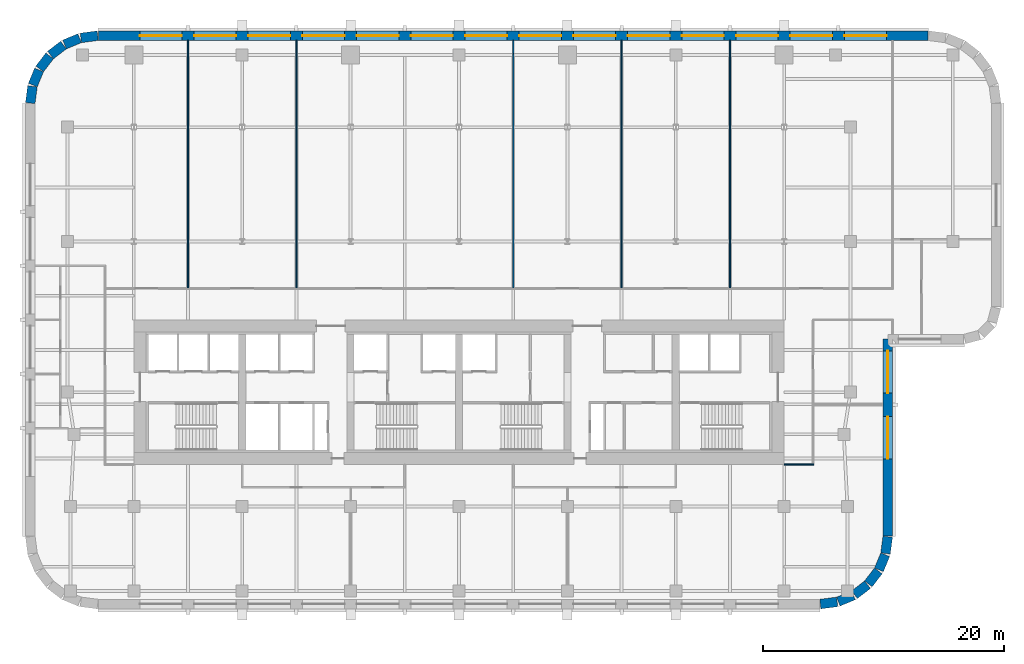
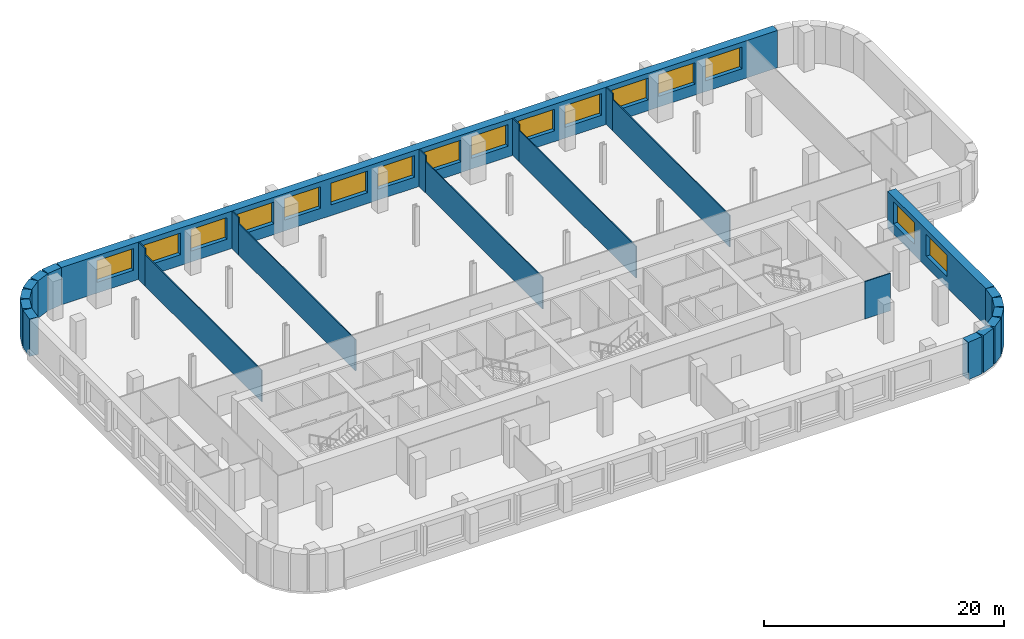
# One storey, part 6 of 9: 25 walls, 16 windows, 16 openings.
"""IFC4 building model written with IfcOpenShell, lengths in metres."""

from ifc_helpers import new_model, si_unit, direction, frame, frame_2d, origin, place, context, subcontext, project, spatial, rectangle, extrude, material, layer, layer_set, type_object, element, fill, save


model = new_model("IFC4")

# Units and contexts
model_context = context("Model", 3, precision=1e-05, world=origin(), true_north=direction((0.0, 1.0)))
body_context = subcontext(model_context, "Body", "Model", "MODEL_VIEW")
ifc_project = project(units=[si_unit("LENGTHUNIT", "METRE"), si_unit("AREAUNIT", "SQUARE_METRE"), si_unit("VOLUMEUNIT", "CUBIC_METRE"), si_unit("PLANEANGLEUNIT", "RADIAN"), si_unit("MASSUNIT", "GRAM", prefix="KILO")], contexts=[model_context])

# Site, building, storey
site_placement = place(None, origin())
site = spatial("IfcSite", under=ifc_project, at=site_placement, CompositionType="ELEMENT")
building_placement = place(site_placement, origin())
building = spatial("IfcBuilding", under=site, at=building_placement, Name="Zellij Exchange Tower", CompositionType="ELEMENT")
storey_placement = place(building_placement, frame((0.0, 0.0, 140.5)))
storey = spatial("IfcBuildingStorey", under=building, at=storey_placement, Name="L31", CompositionType="ELEMENT", Elevation=140.5)

# Walls
ifc_material_1 = material(Name="Precast concrete C40/50", Category="concrete")
ifc_layer_1 = layer(ifc_material_1, 0.800048828125)
ifc_layer_set_1 = layer_set([ifc_layer_1], Name="Precast concrete C40/50")
wall_type_1 = type_object("IfcWallType", Name="ENV-EW1 Precast stone-piered wall 800", PredefinedType="SOLIDWALL", material=ifc_layer_set_1)
wall_1_placement = place(storey_placement, frame((29.999755859375, -25.5966796875, 0.0), z_axis=(0.0, 0.0, 1.0), x_axis=(0.99144603414, 0.130517283865, 0.0)))
element("IfcWall", 1, at=wall_1_placement, inside=storey, type_object=wall_type_1, Name="fac.L31.01", PredefinedType="SOLIDWALL", context=body_context, shape_type="SweptSolid", body=[
    extrude(rectangle(XDim=1.408447265625, YDim=0.800048828125, at=frame_2d((0.7041015625, 0.0))), origin(), (0.0, 0.0, 1.0), 3.800048828125),
])
wall_2_placement = place(storey_placement, frame((31.497314453125, -25.3857421875, 0.0), z_axis=(0.0, 0.0, 1.0), x_axis=(0.923847774587, 0.38276009378, 0.0)))
element("IfcWall", 2, at=wall_2_placement, inside=storey, type_object=wall_type_1, Name="fac.L31.02", PredefinedType="SOLIDWALL", context=body_context, shape_type="SweptSolid", body=[
    extrude(rectangle(XDim=1.35546875, YDim=0.800048828125, at=frame_2d((0.677734375, 0.0))), origin(), (0.0, 0.0, 1.0), 3.800048828125),
])
for number, where, z_axis, x_axis, name in (
    (3, (32.840087890625, -24.814697265625, 0.0), (0.0, 0.0, 1.0), (0.793272915452, 0.608866226366, 0.0), "fac.L31.03"),
    (4, (33.9892578125, -23.91552734375, 0.0), (0.0, 0.0, 1.0), (0.608866226366, 0.793272915452, 0.0), "fac.L31.04"),
):
    element("IfcWall", number, at=place(storey_placement, frame(where, z_axis=z_axis, x_axis=x_axis)), inside=storey, type_object=wall_type_1, Name=name, PredefinedType="SOLIDWALL", context=body_context, shape_type="SweptSolid", body=[
        extrude(rectangle(XDim=1.355712890625, YDim=0.800048828125, at=frame_2d((0.677734375, 0.0))), origin(), (0.0, 0.0, 1.0), 3.800048828125),
    ])
wall_3_placement = place(storey_placement, frame((34.866943359375, -22.74951171875, 0.0), z_axis=(0.0, 0.0, 1.0), x_axis=(0.38276009378, 0.923847774587, 0.0)))
element("IfcWall", 5, at=wall_3_placement, inside=storey, type_object=wall_type_1, Name="fac.L31.05", PredefinedType="SOLIDWALL", context=body_context, shape_type="SweptSolid", body=[
    extrude(rectangle(XDim=1.35546875, YDim=0.800048828125, at=frame_2d((0.677734375, 0.0))), origin(), (0.0, 0.0, 1.0), 3.800048828125),
])
wall_4_placement = place(storey_placement, frame((35.412841796875, -21.396240234375, 0.0), z_axis=(0.0, 0.0, 1.0), x_axis=(0.130517283865, 0.99144603414, 0.0)))
element("IfcWall", 6, at=wall_4_placement, inside=storey, type_object=wall_type_1, Name="fac.L31.06", PredefinedType="SOLIDWALL", context=body_context, shape_type="SweptSolid", body=[
    extrude(rectangle(XDim=1.408447265625, YDim=0.800048828125, at=frame_2d((0.7041015625, 0.0))), origin(), (0.0, 0.0, 1.0), 3.800048828125),
])

# Wall, openings, windows
wall_5_placement = place(storey_placement, frame((35.60009765625, -19.947509765625, 0.0), z_axis=(0.0, 0.0, 1.0), x_axis=(0.0, 1.0, 0.0)))
wall_5 = element("IfcWall", 7, at=wall_5_placement, inside=storey, type_object=wall_type_1, Name="fac.L31.07", PredefinedType="SOLIDWALL", context=body_context, shape_type="SweptSolid", body=[
    extrude(rectangle(XDim=16.347412109375, YDim=0.800048828125, at=frame_2d((8.173828125, 0.0))), origin(), (0.0, 0.0, 1.0), 3.800048828125),
])
opening_1_placement = place(wall_5_placement, frame((6.41064453125, 0.0, 1.10009765625)))
opening_1 = element("IfcOpeningElement", 8, at=opening_1_placement, cuts=wall_5, Name="Opening FZ2.13", PredefinedType="OPENING", context=body_context, shape_type="SweptSolid", body=[
    extrude(rectangle(XDim=3.5, YDim=2.199951171875, at=frame_2d((1.75, 1.10009765625))), frame((0.0, 0.412109375, 0.0), z_axis=(0.0, -1.0, 0.0), x_axis=(1.0, 0.0, 0.0)), (0.0, 0.0, 1.0), 0.823974609375),
])
opening_2_placement = place(wall_5_placement, frame((11.86865234375, 0.0, 1.10009765625)))
opening_2 = element("IfcOpeningElement", 9, at=opening_2_placement, cuts=wall_5, Name="Opening FZ2.14", PredefinedType="OPENING", context=body_context, shape_type="SweptSolid", body=[
    extrude(rectangle(XDim=3.5, YDim=2.199951171875, at=frame_2d((1.75, 1.10009765625))), frame((0.0, 0.412109375, 0.0), z_axis=(0.0, -1.0, 0.0), x_axis=(1.0, 0.0, 0.0)), (0.0, 0.0, 1.0), 0.823974609375),
])
ifc_material_2 = material(Name="Aluminium frame with insulating glass", Category="aluminium")
window_type = type_object("IfcWindowType", Name="ENV-W7 Window 3500x2200", PartitioningType="SINGLE_PANEL", PredefinedType="WINDOW", material=ifc_material_2)
window_1_placement = place(opening_1_placement, origin())
window_1 = element("IfcWindow", 10, at=window_1_placement, inside=storey, type_object=window_type, Name="Window FZ2.13", OverallHeight=2.199951171875, OverallWidth=3.5, PartitioningType="SINGLE_PANEL", PredefinedType="WINDOW", context=body_context, shape_type="SweptSolid", body=[
    extrude(rectangle(XDim=3.5, YDim=2.199951171875, at=frame_2d((1.75, 1.10009765625))), frame((0.0, 0.030029296875, 0.0), z_axis=(0.0, -1.0, 0.0), x_axis=(1.0, 0.0, 0.0)), (0.0, 0.0, 1.0), 0.06005859375),
])
fill(opening_1, window_1)
window_2_placement = place(opening_2_placement, origin())
window_2 = element("IfcWindow", 11, at=window_2_placement, inside=storey, type_object=window_type, Name="Window FZ2.14", OverallHeight=2.199951171875, OverallWidth=3.5, PartitioningType="SINGLE_PANEL", PredefinedType="WINDOW", context=body_context, shape_type="SweptSolid", body=[
    extrude(rectangle(XDim=3.5, YDim=2.199951171875, at=frame_2d((1.75, 1.10009765625))), frame((0.0, 0.030029296875, 0.0), z_axis=(0.0, -1.0, 0.0), x_axis=(1.0, 0.0, 0.0)), (0.0, 0.0, 1.0), 0.06005859375),
])
fill(opening_2, window_2)

wall_6_placement = place(storey_placement, frame((38.947509765625, 21.60009765625, 0.0), z_axis=(0.0, 0.0, 1.0), x_axis=(-1.0, 0.0, 0.0)))
wall_6 = element("IfcWall", 12, at=wall_6_placement, inside=storey, type_object=wall_type_1, Name="fac.L31.19", PredefinedType="SOLIDWALL", context=body_context, shape_type="SweptSolid", body=[
    extrude(rectangle(XDim=68.89501953125, YDim=0.800048828125, at=frame_2d((34.447509765625, 0.0))), origin(), (0.0, 0.0, 1.0), 3.800048828125),
])
opening_3_placement = place(wall_6_placement, frame((3.447509765625, 0.0, 1.10009765625)))
opening_3 = element("IfcOpeningElement", 13, at=opening_3_placement, cuts=wall_6, Name="Opening FZ2.17", PredefinedType="OPENING", context=body_context, shape_type="SweptSolid", body=[
    extrude(rectangle(XDim=3.5, YDim=2.199951171875, at=frame_2d((1.75, 1.10009765625))), frame((0.0, 0.412109375, 0.0), z_axis=(0.0, -1.0, 0.0), x_axis=(1.0, 0.0, 0.0)), (0.0, 0.0, 1.0), 0.823974609375),
])
opening_4_placement = place(wall_6_placement, frame((7.947509765625, 0.0, 1.10009765625)))
opening_4 = element("IfcOpeningElement", 14, at=opening_4_placement, cuts=wall_6, Name="Opening FZ2.18", PredefinedType="OPENING", context=body_context, shape_type="SweptSolid", body=[
    extrude(rectangle(XDim=3.5, YDim=2.199951171875, at=frame_2d((1.75, 1.10009765625))), frame((0.0, 0.412109375, 0.0), z_axis=(0.0, -1.0, 0.0), x_axis=(1.0, 0.0, 0.0)), (0.0, 0.0, 1.0), 0.823974609375),
])
opening_5_placement = place(wall_6_placement, frame((12.447509765625, 0.0, 1.10009765625)))
opening_5 = element("IfcOpeningElement", 15, at=opening_5_placement, cuts=wall_6, Name="Opening FZ2.19", PredefinedType="OPENING", context=body_context, shape_type="SweptSolid", body=[
    extrude(rectangle(XDim=3.5, YDim=2.199951171875, at=frame_2d((1.75, 1.10009765625))), frame((0.0, 0.412109375, 0.0), z_axis=(0.0, -1.0, 0.0), x_axis=(1.0, 0.0, 0.0)), (0.0, 0.0, 1.0), 0.823974609375),
])
opening_6_placement = place(wall_6_placement, frame((16.947509765625, 0.0, 1.10009765625)))
opening_6 = element("IfcOpeningElement", 16, at=opening_6_placement, cuts=wall_6, Name="Opening FZ2.20", PredefinedType="OPENING", context=body_context, shape_type="SweptSolid", body=[
    extrude(rectangle(XDim=3.5, YDim=2.199951171875, at=frame_2d((1.75, 1.10009765625))), frame((0.0, 0.412109375, 0.0), z_axis=(0.0, -1.0, 0.0), x_axis=(1.0, 0.0, 0.0)), (0.0, 0.0, 1.0), 0.823974609375),
])
opening_7_placement = place(wall_6_placement, frame((21.447509765625, 0.0, 1.10009765625)))
opening_7 = element("IfcOpeningElement", 17, at=opening_7_placement, cuts=wall_6, Name="Opening FZ2.21", PredefinedType="OPENING", context=body_context, shape_type="SweptSolid", body=[
    extrude(rectangle(XDim=3.5, YDim=2.199951171875, at=frame_2d((1.75, 1.10009765625))), frame((0.0, 0.412109375, 0.0), z_axis=(0.0, -1.0, 0.0), x_axis=(1.0, 0.0, 0.0)), (0.0, 0.0, 1.0), 0.823974609375),
])
opening_8_placement = place(wall_6_placement, frame((25.947509765625, 0.0, 1.10009765625)))
opening_8 = element("IfcOpeningElement", 18, at=opening_8_placement, cuts=wall_6, Name="Opening FZ2.22", PredefinedType="OPENING", context=body_context, shape_type="SweptSolid", body=[
    extrude(rectangle(XDim=3.5, YDim=2.199951171875, at=frame_2d((1.75, 1.10009765625))), frame((0.0, 0.412109375, 0.0), z_axis=(0.0, -1.0, 0.0), x_axis=(1.0, 0.0, 0.0)), (0.0, 0.0, 1.0), 0.823974609375),
])
opening_9_placement = place(wall_6_placement, frame((30.447509765625, 0.0, 1.10009765625)))
opening_9 = element("IfcOpeningElement", 19, at=opening_9_placement, cuts=wall_6, Name="Opening FZ2.23", PredefinedType="OPENING", context=body_context, shape_type="SweptSolid", body=[
    extrude(rectangle(XDim=3.5, YDim=2.199951171875, at=frame_2d((1.75, 1.10009765625))), frame((0.0, 0.412109375, 0.0), z_axis=(0.0, -1.0, 0.0), x_axis=(1.0, 0.0, 0.0)), (0.0, 0.0, 1.0), 0.823974609375),
])
opening_10_placement = place(wall_6_placement, frame((34.947509765625, 0.0, 1.10009765625)))
opening_10 = element("IfcOpeningElement", 20, at=opening_10_placement, cuts=wall_6, Name="Opening FZ2.24", PredefinedType="OPENING", context=body_context, shape_type="SweptSolid", body=[
    extrude(rectangle(XDim=3.5, YDim=2.199951171875, at=frame_2d((1.75, 1.10009765625))), frame((0.0, 0.412109375, 0.0), z_axis=(0.0, -1.0, 0.0), x_axis=(1.0, 0.0, 0.0)), (0.0, 0.0, 1.0), 0.823974609375),
])
opening_11_placement = place(wall_6_placement, frame((39.447509765625, 0.0, 1.10009765625)))
opening_11 = element("IfcOpeningElement", 21, at=opening_11_placement, cuts=wall_6, Name="Opening FZ2.25", PredefinedType="OPENING", context=body_context, shape_type="SweptSolid", body=[
    extrude(rectangle(XDim=3.5, YDim=2.199951171875, at=frame_2d((1.75, 1.10009765625))), frame((0.0, 0.412109375, 0.0), z_axis=(0.0, -1.0, 0.0), x_axis=(1.0, 0.0, 0.0)), (0.0, 0.0, 1.0), 0.823974609375),
])
opening_12_placement = place(wall_6_placement, frame((43.947509765625, 0.0, 1.10009765625)))
opening_12 = element("IfcOpeningElement", 22, at=opening_12_placement, cuts=wall_6, Name="Opening FZ2.26", PredefinedType="OPENING", context=body_context, shape_type="SweptSolid", body=[
    extrude(rectangle(XDim=3.5, YDim=2.199951171875, at=frame_2d((1.75, 1.10009765625))), frame((0.0, 0.412109375, 0.0), z_axis=(0.0, -1.0, 0.0), x_axis=(1.0, 0.0, 0.0)), (0.0, 0.0, 1.0), 0.823974609375),
])
opening_13_placement = place(wall_6_placement, frame((48.447509765625, 0.0, 1.10009765625)))
opening_13 = element("IfcOpeningElement", 23, at=opening_13_placement, cuts=wall_6, Name="Opening FZ2.27", PredefinedType="OPENING", context=body_context, shape_type="SweptSolid", body=[
    extrude(rectangle(XDim=3.5, YDim=2.199951171875, at=frame_2d((1.75, 1.10009765625))), frame((0.0, 0.412109375, 0.0), z_axis=(0.0, -1.0, 0.0), x_axis=(1.0, 0.0, 0.0)), (0.0, 0.0, 1.0), 0.823974609375),
])
opening_14_placement = place(wall_6_placement, frame((52.947509765625, 0.0, 1.10009765625)))
opening_14 = element("IfcOpeningElement", 24, at=opening_14_placement, cuts=wall_6, Name="Opening FZ2.28", PredefinedType="OPENING", context=body_context, shape_type="SweptSolid", body=[
    extrude(rectangle(XDim=3.5, YDim=2.199951171875, at=frame_2d((1.75, 1.10009765625))), frame((0.0, 0.412109375, 0.0), z_axis=(0.0, -1.0, 0.0), x_axis=(1.0, 0.0, 0.0)), (0.0, 0.0, 1.0), 0.823974609375),
])
opening_15_placement = place(wall_6_placement, frame((57.447509765625, 0.0, 1.10009765625)))
opening_15 = element("IfcOpeningElement", 25, at=opening_15_placement, cuts=wall_6, Name="Opening FZ2.29", PredefinedType="OPENING", context=body_context, shape_type="SweptSolid", body=[
    extrude(rectangle(XDim=3.5, YDim=2.199951171875, at=frame_2d((1.75, 1.10009765625))), frame((0.0, 0.412109375, 0.0), z_axis=(0.0, -1.0, 0.0), x_axis=(1.0, 0.0, 0.0)), (0.0, 0.0, 1.0), 0.823974609375),
])
opening_16_placement = place(wall_6_placement, frame((61.947509765625, 0.0, 1.10009765625)))
opening_16 = element("IfcOpeningElement", 26, at=opening_16_placement, cuts=wall_6, Name="Opening FZ2.30", PredefinedType="OPENING", context=body_context, shape_type="SweptSolid", body=[
    extrude(rectangle(XDim=3.5, YDim=2.199951171875, at=frame_2d((1.75, 1.10009765625))), frame((0.0, 0.412109375, 0.0), z_axis=(0.0, -1.0, 0.0), x_axis=(1.0, 0.0, 0.0)), (0.0, 0.0, 1.0), 0.823974609375),
])
window_3_placement = place(opening_3_placement, origin())
window_3 = element("IfcWindow", 27, at=window_3_placement, inside=storey, type_object=window_type, Name="Window FZ2.17", OverallHeight=2.199951171875, OverallWidth=3.5, PartitioningType="SINGLE_PANEL", PredefinedType="WINDOW", context=body_context, shape_type="SweptSolid", body=[
    extrude(rectangle(XDim=3.5, YDim=2.199951171875, at=frame_2d((1.75, 1.10009765625))), frame((0.0, 0.030029296875, 0.0), z_axis=(0.0, -1.0, 0.0), x_axis=(1.0, 0.0, 0.0)), (0.0, 0.0, 1.0), 0.06005859375),
])
fill(opening_3, window_3)
window_4_placement = place(opening_4_placement, origin())
window_4 = element("IfcWindow", 28, at=window_4_placement, inside=storey, type_object=window_type, Name="Window FZ2.18", OverallHeight=2.199951171875, OverallWidth=3.5, PartitioningType="SINGLE_PANEL", PredefinedType="WINDOW", context=body_context, shape_type="SweptSolid", body=[
    extrude(rectangle(XDim=3.5, YDim=2.199951171875, at=frame_2d((1.75, 1.10009765625))), frame((0.0, 0.030029296875, 0.0), z_axis=(0.0, -1.0, 0.0), x_axis=(1.0, 0.0, 0.0)), (0.0, 0.0, 1.0), 0.06005859375),
])
fill(opening_4, window_4)
window_5_placement = place(opening_5_placement, origin())
window_5 = element("IfcWindow", 29, at=window_5_placement, inside=storey, type_object=window_type, Name="Window FZ2.19", OverallHeight=2.199951171875, OverallWidth=3.5, PartitioningType="SINGLE_PANEL", PredefinedType="WINDOW", context=body_context, shape_type="SweptSolid", body=[
    extrude(rectangle(XDim=3.5, YDim=2.199951171875, at=frame_2d((1.75, 1.10009765625))), frame((0.0, 0.030029296875, 0.0), z_axis=(0.0, -1.0, 0.0), x_axis=(1.0, 0.0, 0.0)), (0.0, 0.0, 1.0), 0.06005859375),
])
fill(opening_5, window_5)
window_6_placement = place(opening_6_placement, origin())
window_6 = element("IfcWindow", 30, at=window_6_placement, inside=storey, type_object=window_type, Name="Window FZ2.20", OverallHeight=2.199951171875, OverallWidth=3.5, PartitioningType="SINGLE_PANEL", PredefinedType="WINDOW", context=body_context, shape_type="SweptSolid", body=[
    extrude(rectangle(XDim=3.5, YDim=2.199951171875, at=frame_2d((1.75, 1.10009765625))), frame((0.0, 0.030029296875, 0.0), z_axis=(0.0, -1.0, 0.0), x_axis=(1.0, 0.0, 0.0)), (0.0, 0.0, 1.0), 0.06005859375),
])
fill(opening_6, window_6)
window_7_placement = place(opening_7_placement, origin())
window_7 = element("IfcWindow", 31, at=window_7_placement, inside=storey, type_object=window_type, Name="Window FZ2.21", OverallHeight=2.199951171875, OverallWidth=3.5, PartitioningType="SINGLE_PANEL", PredefinedType="WINDOW", context=body_context, shape_type="SweptSolid", body=[
    extrude(rectangle(XDim=3.5, YDim=2.199951171875, at=frame_2d((1.75, 1.10009765625))), frame((0.0, 0.030029296875, 0.0), z_axis=(0.0, -1.0, 0.0), x_axis=(1.0, 0.0, 0.0)), (0.0, 0.0, 1.0), 0.06005859375),
])
fill(opening_7, window_7)
window_8_placement = place(opening_8_placement, origin())
window_8 = element("IfcWindow", 32, at=window_8_placement, inside=storey, type_object=window_type, Name="Window FZ2.22", OverallHeight=2.199951171875, OverallWidth=3.5, PartitioningType="SINGLE_PANEL", PredefinedType="WINDOW", context=body_context, shape_type="SweptSolid", body=[
    extrude(rectangle(XDim=3.5, YDim=2.199951171875, at=frame_2d((1.75, 1.10009765625))), frame((0.0, 0.030029296875, 0.0), z_axis=(0.0, -1.0, 0.0), x_axis=(1.0, 0.0, 0.0)), (0.0, 0.0, 1.0), 0.06005859375),
])
fill(opening_8, window_8)
window_9_placement = place(opening_9_placement, origin())
window_9 = element("IfcWindow", 33, at=window_9_placement, inside=storey, type_object=window_type, Name="Window FZ2.23", OverallHeight=2.199951171875, OverallWidth=3.5, PartitioningType="SINGLE_PANEL", PredefinedType="WINDOW", context=body_context, shape_type="SweptSolid", body=[
    extrude(rectangle(XDim=3.5, YDim=2.199951171875, at=frame_2d((1.75, 1.10009765625))), frame((0.0, 0.030029296875, 0.0), z_axis=(0.0, -1.0, 0.0), x_axis=(1.0, 0.0, 0.0)), (0.0, 0.0, 1.0), 0.06005859375),
])
fill(opening_9, window_9)
window_10_placement = place(opening_10_placement, origin())
window_10 = element("IfcWindow", 34, at=window_10_placement, inside=storey, type_object=window_type, Name="Window FZ2.24", OverallHeight=2.199951171875, OverallWidth=3.5, PartitioningType="SINGLE_PANEL", PredefinedType="WINDOW", context=body_context, shape_type="SweptSolid", body=[
    extrude(rectangle(XDim=3.5, YDim=2.199951171875, at=frame_2d((1.75, 1.10009765625))), frame((0.0, 0.030029296875, 0.0), z_axis=(0.0, -1.0, 0.0), x_axis=(1.0, 0.0, 0.0)), (0.0, 0.0, 1.0), 0.06005859375),
])
fill(opening_10, window_10)
window_11_placement = place(opening_11_placement, origin())
window_11 = element("IfcWindow", 35, at=window_11_placement, inside=storey, type_object=window_type, Name="Window FZ2.25", OverallHeight=2.199951171875, OverallWidth=3.5, PartitioningType="SINGLE_PANEL", PredefinedType="WINDOW", context=body_context, shape_type="SweptSolid", body=[
    extrude(rectangle(XDim=3.5, YDim=2.199951171875, at=frame_2d((1.75, 1.10009765625))), frame((0.0, 0.030029296875, 0.0), z_axis=(0.0, -1.0, 0.0), x_axis=(1.0, 0.0, 0.0)), (0.0, 0.0, 1.0), 0.06005859375),
])
fill(opening_11, window_11)
window_12_placement = place(opening_12_placement, origin())
window_12 = element("IfcWindow", 36, at=window_12_placement, inside=storey, type_object=window_type, Name="Window FZ2.26", OverallHeight=2.199951171875, OverallWidth=3.5, PartitioningType="SINGLE_PANEL", PredefinedType="WINDOW", context=body_context, shape_type="SweptSolid", body=[
    extrude(rectangle(XDim=3.5, YDim=2.199951171875, at=frame_2d((1.75, 1.10009765625))), frame((0.0, 0.030029296875, 0.0), z_axis=(0.0, -1.0, 0.0), x_axis=(1.0, 0.0, 0.0)), (0.0, 0.0, 1.0), 0.06005859375),
])
fill(opening_12, window_12)
window_13_placement = place(opening_13_placement, origin())
window_13 = element("IfcWindow", 37, at=window_13_placement, inside=storey, type_object=window_type, Name="Window FZ2.27", OverallHeight=2.199951171875, OverallWidth=3.5, PartitioningType="SINGLE_PANEL", PredefinedType="WINDOW", context=body_context, shape_type="SweptSolid", body=[
    extrude(rectangle(XDim=3.5, YDim=2.199951171875, at=frame_2d((1.75, 1.10009765625))), frame((0.0, 0.030029296875, 0.0), z_axis=(0.0, -1.0, 0.0), x_axis=(1.0, 0.0, 0.0)), (0.0, 0.0, 1.0), 0.06005859375),
])
fill(opening_13, window_13)
window_14_placement = place(opening_14_placement, origin())
window_14 = element("IfcWindow", 38, at=window_14_placement, inside=storey, type_object=window_type, Name="Window FZ2.28", OverallHeight=2.199951171875, OverallWidth=3.5, PartitioningType="SINGLE_PANEL", PredefinedType="WINDOW", context=body_context, shape_type="SweptSolid", body=[
    extrude(rectangle(XDim=3.5, YDim=2.199951171875, at=frame_2d((1.75, 1.10009765625))), frame((0.0, 0.030029296875, 0.0), z_axis=(0.0, -1.0, 0.0), x_axis=(1.0, 0.0, 0.0)), (0.0, 0.0, 1.0), 0.06005859375),
])
fill(opening_14, window_14)
window_15_placement = place(opening_15_placement, origin())
window_15 = element("IfcWindow", 39, at=window_15_placement, inside=storey, type_object=window_type, Name="Window FZ2.29", OverallHeight=2.199951171875, OverallWidth=3.5, PartitioningType="SINGLE_PANEL", PredefinedType="WINDOW", context=body_context, shape_type="SweptSolid", body=[
    extrude(rectangle(XDim=3.5, YDim=2.199951171875, at=frame_2d((1.75, 1.10009765625))), frame((0.0, 0.030029296875, 0.0), z_axis=(0.0, -1.0, 0.0), x_axis=(1.0, 0.0, 0.0)), (0.0, 0.0, 1.0), 0.06005859375),
])
fill(opening_15, window_15)
window_16_placement = place(opening_16_placement, origin())
window_16 = element("IfcWindow", 40, at=window_16_placement, inside=storey, type_object=window_type, Name="Window FZ2.30", OverallHeight=2.199951171875, OverallWidth=3.5, PartitioningType="SINGLE_PANEL", PredefinedType="WINDOW", context=body_context, shape_type="SweptSolid", body=[
    extrude(rectangle(XDim=3.5, YDim=2.199951171875, at=frame_2d((1.75, 1.10009765625))), frame((0.0, 0.030029296875, 0.0), z_axis=(0.0, -1.0, 0.0), x_axis=(1.0, 0.0, 0.0)), (0.0, 0.0, 1.0), 0.06005859375),
])
fill(opening_16, window_16)

# Walls
wall_7_placement = place(storey_placement, frame((-29.999755859375, 21.5966796875, 0.0), z_axis=(0.0, 0.0, 1.0), x_axis=(-0.99144603414, -0.130517283865, 0.0)))
element("IfcWall", 41, at=wall_7_placement, inside=storey, type_object=wall_type_1, Name="fac.L31.20", PredefinedType="SOLIDWALL", context=body_context, shape_type="SweptSolid", body=[
    extrude(rectangle(XDim=1.408447265625, YDim=0.800048828125, at=frame_2d((0.7041015625, 0.0))), origin(), (0.0, 0.0, 1.0), 3.800048828125),
])
wall_8_placement = place(storey_placement, frame((-31.497314453125, 21.3857421875, 0.0), z_axis=(0.0, 0.0, 1.0), x_axis=(-0.923847774587, -0.38276009378, 0.0)))
element("IfcWall", 42, at=wall_8_placement, inside=storey, type_object=wall_type_1, Name="fac.L31.21", PredefinedType="SOLIDWALL", context=body_context, shape_type="SweptSolid", body=[
    extrude(rectangle(XDim=1.35546875, YDim=0.800048828125, at=frame_2d((0.677734375, 0.0))), origin(), (0.0, 0.0, 1.0), 3.800048828125),
])
for number, where, z_axis, x_axis, name in (
    (43, (-32.840087890625, 20.814697265625, 0.0), (0.0, 0.0, 1.0), (-0.793272915452, -0.608866226366, 0.0), "fac.L31.22"),
    (44, (-33.9892578125, 19.91552734375, 0.0), (0.0, 0.0, 1.0), (-0.608866226366, -0.793272915452, 0.0), "fac.L31.23"),
):
    element("IfcWall", number, at=place(storey_placement, frame(where, z_axis=z_axis, x_axis=x_axis)), inside=storey, type_object=wall_type_1, Name=name, PredefinedType="SOLIDWALL", context=body_context, shape_type="SweptSolid", body=[
        extrude(rectangle(XDim=1.355712890625, YDim=0.800048828125, at=frame_2d((0.677734375, 0.0))), origin(), (0.0, 0.0, 1.0), 3.800048828125),
    ])
wall_9_placement = place(storey_placement, frame((-34.866943359375, 18.74951171875, 0.0), z_axis=(0.0, 0.0, 1.0), x_axis=(-0.38276009378, -0.923847774587, 0.0)))
element("IfcWall", 45, at=wall_9_placement, inside=storey, type_object=wall_type_1, Name="fac.L31.24", PredefinedType="SOLIDWALL", context=body_context, shape_type="SweptSolid", body=[
    extrude(rectangle(XDim=1.35546875, YDim=0.800048828125, at=frame_2d((0.677734375, 0.0))), origin(), (0.0, 0.0, 1.0), 3.800048828125),
])
wall_10_placement = place(storey_placement, frame((-35.412841796875, 17.396240234375, 0.0), z_axis=(0.0, 0.0, 1.0), x_axis=(-0.130517283865, -0.99144603414, 0.0)))
element("IfcWall", 46, at=wall_10_placement, inside=storey, type_object=wall_type_1, Name="fac.L31.25", PredefinedType="SOLIDWALL", context=body_context, shape_type="SweptSolid", body=[
    extrude(rectangle(XDim=1.408447265625, YDim=0.800048828125, at=frame_2d((0.7041015625, 0.0))), origin(), (0.0, 0.0, 1.0), 3.800048828125),
])
ifc_material_3 = material(Name="Gypsum board partition on steel studs", Category="steel")
ifc_layer_2 = layer(ifc_material_3, 0.10009765625)
ifc_layer_set_2 = layer_set([ifc_layer_2], Name="Gypsum board partition on steel studs")
wall_type_2 = type_object("IfcWallType", Name="FIT-PARTITION-100", PredefinedType="PARTITIONING", material=ifc_layer_set_2)
wall_11_placement = place(storey_placement, frame((27.0, -14.0, 0.0), z_axis=(0.0, 0.0, 1.0), x_axis=(1.0, 0.0, 0.0)))
element("IfcWall", 47, at=wall_11_placement, inside=storey, type_object=wall_type_2, Name="FIT-PARTITION-100 013", PredefinedType="PARTITIONING", context=body_context, shape_type="SweptSolid", body=[
    extrude(rectangle(XDim=2.449951171875, YDim=0.10009765625, at=frame_2d((1.22509765625, 0.0))), origin(), (0.0, 0.0, 1.0), 3.800048828125),
])
wall_12_placement = place(storey_placement, frame((-22.5, 0.64990234375, 0.0), z_axis=(0.0, 0.0, 1.0), x_axis=(0.0, 1.0, 0.0)))
element("IfcWall", 48, at=wall_12_placement, inside=storey, type_object=wall_type_2, Name="FIT-PARTITION-100 025", PredefinedType="PARTITIONING", context=body_context, shape_type="SweptSolid", body=[
    extrude(rectangle(XDim=19.464599609375, YDim=0.10009765625, at=frame_2d((9.732421875, 0.0))), origin(), (0.0, 0.0, 1.0), 3.197998046875),
])
wall_13_placement = place(storey_placement, frame((-22.5, 20.114501953125, 0.0), z_axis=(0.0, 0.0, 1.0), x_axis=(0.0, 1.0, 0.0)))
element("IfcWall", 49, at=wall_13_placement, inside=storey, type_object=wall_type_2, Name="FIT-PARTITION-100 026", PredefinedType="PARTITIONING", context=body_context, shape_type="SweptSolid", body=[
    extrude(rectangle(XDim=1.08544921875, YDim=0.10009765625, at=frame_2d((0.542724609375, 0.0))), origin(), (0.0, 0.0, 1.0), 3.800048828125),
])
wall_14_placement = place(storey_placement, frame((-13.5, 0.64990234375, 0.0), z_axis=(0.0, 0.0, 1.0), x_axis=(0.0, 1.0, 0.0)))
element("IfcWall", 50, at=wall_14_placement, inside=storey, type_object=wall_type_2, Name="FIT-PARTITION-100 027", PredefinedType="PARTITIONING", context=body_context, shape_type="SweptSolid", body=[
    extrude(rectangle(XDim=19.464599609375, YDim=0.10009765625, at=frame_2d((9.732421875, 0.0))), origin(), (0.0, 0.0, 1.0), 3.197998046875),
])
wall_15_placement = place(storey_placement, frame((-13.5, 20.114501953125, 0.0), z_axis=(0.0, 0.0, 1.0), x_axis=(0.0, 1.0, 0.0)))
element("IfcWall", 51, at=wall_15_placement, inside=storey, type_object=wall_type_2, Name="FIT-PARTITION-100 028", PredefinedType="PARTITIONING", context=body_context, shape_type="SweptSolid", body=[
    extrude(rectangle(XDim=1.08544921875, YDim=0.10009765625, at=frame_2d((0.542724609375, 0.0))), origin(), (0.0, 0.0, 1.0), 3.800048828125),
])
wall_16_placement = place(storey_placement, frame((4.5, 0.64990234375, 0.0), z_axis=(0.0, 0.0, 1.0), x_axis=(0.0, 1.0, 0.0)))
element("IfcWall", 52, at=wall_16_placement, inside=storey, type_object=wall_type_2, Name="FIT-PARTITION-100 029", PredefinedType="PARTITIONING", context=body_context, shape_type="SweptSolid", body=[
    extrude(rectangle(XDim=19.464599609375, YDim=0.10009765625, at=frame_2d((9.732421875, 0.0))), origin(), (0.0, 0.0, 1.0), 3.197998046875),
])
wall_17_placement = place(storey_placement, frame((4.5, 20.114501953125, 0.0), z_axis=(0.0, 0.0, 1.0), x_axis=(0.0, 1.0, 0.0)))
element("IfcWall", 53, at=wall_17_placement, inside=storey, type_object=wall_type_2, Name="FIT-PARTITION-100 030", PredefinedType="PARTITIONING", context=body_context, shape_type="SweptSolid", body=[
    extrude(rectangle(XDim=1.08544921875, YDim=0.10009765625, at=frame_2d((0.542724609375, 0.0))), origin(), (0.0, 0.0, 1.0), 3.800048828125),
])
wall_18_placement = place(storey_placement, frame((13.5, 0.64990234375, 0.0), z_axis=(0.0, 0.0, 1.0), x_axis=(0.0, 1.0, 0.0)))
element("IfcWall", 54, at=wall_18_placement, inside=storey, type_object=wall_type_2, Name="FIT-PARTITION-100 031", PredefinedType="PARTITIONING", context=body_context, shape_type="SweptSolid", body=[
    extrude(rectangle(XDim=19.464599609375, YDim=0.10009765625, at=frame_2d((9.732421875, 0.0))), origin(), (0.0, 0.0, 1.0), 3.197998046875),
])
wall_19_placement = place(storey_placement, frame((13.5, 20.114501953125, 0.0), z_axis=(0.0, 0.0, 1.0), x_axis=(0.0, 1.0, 0.0)))
element("IfcWall", 55, at=wall_19_placement, inside=storey, type_object=wall_type_2, Name="FIT-PARTITION-100 032", PredefinedType="PARTITIONING", context=body_context, shape_type="SweptSolid", body=[
    extrude(rectangle(XDim=1.08544921875, YDim=0.10009765625, at=frame_2d((0.542724609375, 0.0))), origin(), (0.0, 0.0, 1.0), 3.800048828125),
])
wall_20_placement = place(storey_placement, frame((22.5, 0.64990234375, 0.0), z_axis=(0.0, 0.0, 1.0), x_axis=(0.0, 1.0, 0.0)))
element("IfcWall", 56, at=wall_20_placement, inside=storey, type_object=wall_type_2, Name="FIT-PARTITION-100 033", PredefinedType="PARTITIONING", context=body_context, shape_type="SweptSolid", body=[
    extrude(rectangle(XDim=19.464599609375, YDim=0.10009765625, at=frame_2d((9.732421875, 0.0))), origin(), (0.0, 0.0, 1.0), 3.197998046875),
])
wall_21_placement = place(storey_placement, frame((22.5, 20.114501953125, 0.0), z_axis=(0.0, 0.0, 1.0), x_axis=(0.0, 1.0, 0.0)))
element("IfcWall", 57, at=wall_21_placement, inside=storey, type_object=wall_type_2, Name="FIT-PARTITION-100 034", PredefinedType="PARTITIONING", context=body_context, shape_type="SweptSolid", body=[
    extrude(rectangle(XDim=1.08544921875, YDim=0.10009765625, at=frame_2d((0.542724609375, 0.0))), origin(), (0.0, 0.0, 1.0), 3.800048828125),
])

save(model, "model.ifc")
